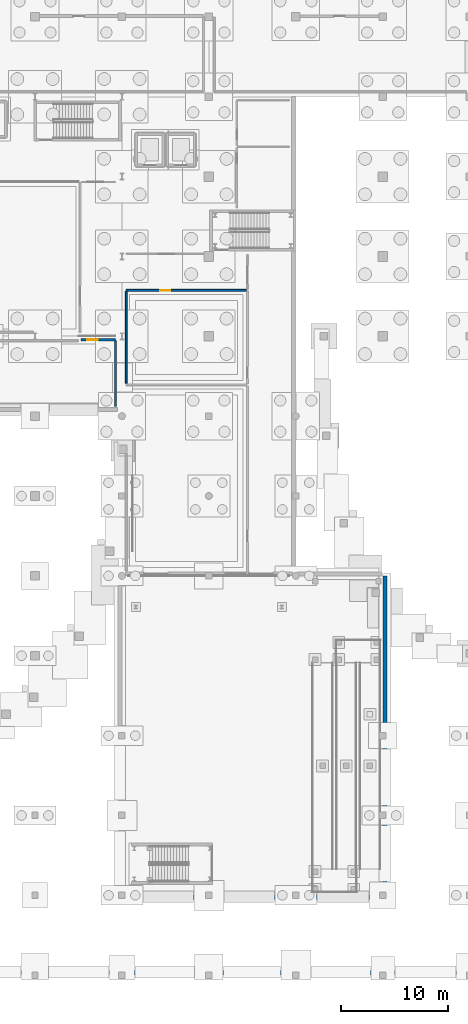
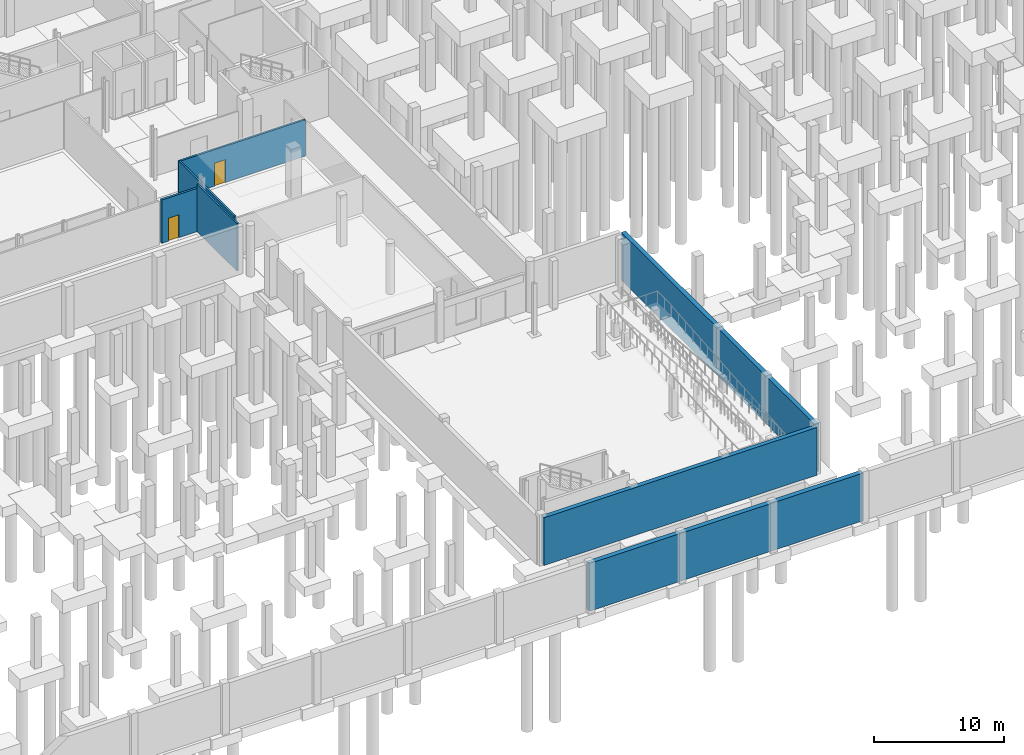
# One storey, part 24 of 37: 7 walls, 2 doors, 2 openings.
"""IFC4 building model written with IfcOpenShell, lengths in metres."""

from ifc_helpers import new_model, si_unit, direction, frame, frame_2d, origin, place, context, subcontext, project, spatial, rectangle, extrude, material, layer, layer_set, type_object, element, fill, save


model = new_model("IFC4")

# Units and contexts
model_context = context("Model", 3, precision=1e-05, world=origin(), true_north=direction((0.0, 1.0)))
body_context = subcontext(model_context, "Body", "Model", "MODEL_VIEW")
ifc_project = project(units=[si_unit("LENGTHUNIT", "METRE"), si_unit("AREAUNIT", "SQUARE_METRE"), si_unit("VOLUMEUNIT", "CUBIC_METRE"), si_unit("PLANEANGLEUNIT", "RADIAN"), si_unit("MASSUNIT", "GRAM", prefix="KILO")], contexts=[model_context])

# Site, building, storey
site_placement = place(None, origin())
site = spatial("IfcSite", under=ifc_project, at=site_placement, CompositionType="ELEMENT")
building_placement = place(site_placement, origin())
building = spatial("IfcBuilding", under=site, at=building_placement, Name="Kaelora Sail Theatre", CompositionType="ELEMENT")
storey_placement = place(building_placement, frame((0.0, 0.0, -4.800048828125)))
storey = spatial("IfcBuildingStorey", under=building, at=storey_placement, Name="B1", CompositionType="ELEMENT", Elevation=-4.800048828125)

# Walls
ifc_material_1 = material(Name="Acoustic metal-stud plasterboard 160 mm", Category="gypsum")
ifc_layer_1 = layer(ifc_material_1, 0.159912109375)
ifc_layer_set_1 = layer_set([ifc_layer_1], Name="Acoustic metal-stud plasterboard 160 mm")
wall_type_1 = type_object("IfcWallType", Name="ARC-WL-PT-160", PredefinedType="PARTITIONING", material=ifc_layer_set_1)
wall_1_placement = place(storey_placement, frame((57.60009765625, 54.5, 0.0), z_axis=(0.0, 0.0, 1.0), x_axis=(0.0, 1.0, 0.0)))
element("IfcWall", 1, at=wall_1_placement, inside=storey, type_object=wall_type_1, Name="Room enclosure wall B1-OPIT-E1", PredefinedType="PARTITIONING", context=body_context, shape_type="SweptSolid", body=[
    extrude(rectangle(XDim=6.10009765625, YDim=0.159912109375, at=frame_2d((3.050048828125, 0.0))), origin(), (0.0, 0.0, 1.0), 4.4599609375),
])
wall_2_placement = place(storey_placement, frame((58.60009765625, 56.64990234375, 0.0), z_axis=(0.0, 0.0, 1.0), x_axis=(0.0, 1.0, 0.0)))
element("IfcWall", 2, at=wall_2_placement, inside=storey, type_object=wall_type_1, Name="Room enclosure wall B1-CLOAK-W1", PredefinedType="PARTITIONING", context=body_context, shape_type="SweptSolid", body=[
    extrude(rectangle(XDim=8.550048828125, YDim=0.159912109375, at=frame_2d((4.27490234375, 0.0))), origin(), (0.0, 0.0, 1.0), 3.511962890625),
])

# Wall, opening, door
ifc_material_2 = material(Name="Workshop acoustic stud partition 170 mm", Category="gypsum")
ifc_layer_2 = layer(ifc_material_2, 0.169921875)
ifc_layer_set_2 = layer_set([ifc_layer_2], Name="Workshop acoustic stud partition 170 mm")
wall_type_2 = type_object("IfcWallType", Name="ARC-WL-PT-170", PredefinedType="PARTITIONING", material=ifc_layer_set_2)
wall_3_placement = place(storey_placement, frame((58.60009765625, 65.300048828125, 0.0), z_axis=(0.0, 0.0, 1.0), x_axis=(1.0, 0.0, 0.0)))
wall_3 = element("IfcWall", 3, at=wall_3_placement, inside=storey, type_object=wall_type_2, Name="Interior acoustic partition B1-CLOAK/B1-COR-SOUTH", PredefinedType="PARTITIONING", context=body_context, shape_type="SweptSolid", body=[
    extrude(rectangle(XDim=11.199951171875, YDim=0.169921875, at=frame_2d((5.60009765625, 0.0))), origin(), (0.0, 0.0, 1.0), 3.412109375),
])
opening_1_placement = place(wall_3_placement, frame((3.14892578125, 0.0, 0.0)))
opening_1 = element("IfcOpeningElement", 4, at=opening_1_placement, cuts=wall_3, Name="Opening ID-02", PredefinedType="OPENING", context=body_context, shape_type="SweptSolid", body=[
    extrude(rectangle(XDim=0.949951171875, YDim=2.14990234375, at=frame_2d((0.47509765625, 1.074951171875))), frame((0.0, 0.094961, 0.0), z_axis=(0.0, -1.0, 0.0), x_axis=(1.0, 0.0, 0.0)), (0.0, 0.0, 1.0), 0.189922),
])
ifc_material_3 = material(Name="Timber dressing and office single door", Category="wood")
door_type = type_object("IfcDoorType", Name="ARC-DR-ID-02", OperationType="NOTDEFINED", PredefinedType="DOOR", material=ifc_material_3)
door_1_placement = place(opening_1_placement, origin())
door_1 = element("IfcDoor", 5, at=door_1_placement, inside=storey, type_object=door_type, Name="Interior door B1-CLOAK to B1-COR-SOUTH", OperationType="SINGLE_SWING_RIGHT", OverallHeight=2.14990234375, OverallWidth=0.949951171875, PredefinedType="DOOR", context=body_context, shape_type="SweptSolid", body=[
    extrude(rectangle(XDim=0.949951171875, YDim=2.14990234375, at=frame_2d((0.47509765625, 1.074951171875))), frame((0.0, 0.02490234375, 0.0), z_axis=(0.0, -1.0, 0.0), x_axis=(1.0, 0.0, 0.0)), (0.0, 0.0, 1.0), 0.050048828125),
])
fill(opening_1, door_1)

ifc_material_4 = material(Name="Acoustic double-stud plasterboard 200 mm", Category="gypsum")
ifc_layer_3 = layer(ifc_material_4, 0.199951171875)
ifc_layer_set_3 = layer_set([ifc_layer_3], Name="Acoustic double-stud plasterboard 200 mm")
wall_type_3 = type_object("IfcWallType", Name="ARC-WL-PT-200", PredefinedType="PARTITIONING", material=ifc_layer_set_3)
wall_4_placement = place(storey_placement, frame((54.39990234375, 60.699951171875, 0.0), z_axis=(0.0, 0.0, 1.0), x_axis=(1.0, 0.0, 0.0)))
wall_4 = element("IfcWall", 6, at=wall_4_placement, inside=storey, type_object=wall_type_3, Name="Interior acoustic partition B1-OPIT/B1-COR-OPIT", PredefinedType="PARTITIONING", context=body_context, shape_type="SweptSolid", body=[
    extrude(rectangle(XDim=3.2001953125, YDim=0.199951171875, at=frame_2d((1.60009765625, 0.0))), origin(), (0.0, 0.0, 1.0), 4.06201171875),
])
opening_2_placement = place(wall_4_placement, frame((0.580078125, 0.0, 0.0)))
opening_2 = element("IfcOpeningElement", 7, at=opening_2_placement, cuts=wall_4, Name="Opening ID-02", PredefinedType="OPENING", context=body_context, shape_type="SweptSolid", body=[
    extrude(rectangle(XDim=0.949951171875, YDim=2.14990234375, at=frame_2d((0.47509765625, 1.074951171875))), frame((0.0, 0.110098, 0.0), z_axis=(0.0, -1.0, 0.0), x_axis=(1.0, 0.0, 0.0)), (0.0, 0.0, 1.0), 0.219951),
])
door_2_placement = place(opening_2_placement, origin())
door_2 = element("IfcDoor", 8, at=door_2_placement, inside=storey, type_object=door_type, Name="Interior door B1-OPIT to B1-COR-OPIT", OperationType="SINGLE_SWING_RIGHT", OverallHeight=2.14990234375, OverallWidth=0.949951171875, PredefinedType="DOOR", context=body_context, shape_type="SweptSolid", body=[
    extrude(rectangle(XDim=0.949951171875, YDim=2.14990234375, at=frame_2d((0.47509765625, 1.074951171875))), frame((0.0, 0.02490234375, 0.0), z_axis=(0.0, -1.0, 0.0), x_axis=(1.0, 0.0, 0.0)), (0.0, 0.0, 1.0), 0.050048828125),
])
fill(opening_2, door_2)

# Walls
ifc_material_5 = material(Name="Concrete C40/50", Category="concrete")
ifc_layer_4 = layer(ifc_material_5, 0.3798828125)
ifc_layer_set_4 = layer_set([ifc_layer_4], Name="Concrete C40/50")
wall_type_4 = type_object("IfcWallType", Name="ARC-WL-RW-380", PredefinedType="USERDEFINED", material=ifc_layer_set_4)
wall_5_placement = place(storey_placement, frame((58.25, 8.75, 0.0), z_axis=(0.0, 0.0, 1.0), x_axis=(1.0, 0.0, 0.0)))
element("IfcWall", 9, at=wall_5_placement, inside=storey, type_object=wall_type_4, Name="Grounded concrete plinth retaining wall B1-COURT-S", ObjectType="RETAINING WALL", PredefinedType="USERDEFINED", context=body_context, shape_type="SweptSolid", body=[
    extrude(rectangle(XDim=24.199951171875, YDim=0.3798828125, at=frame_2d((12.10009765625, 0.0))), origin(), (0.0, 0.0, 1.0), 4.47998046875),
])
wall_6_placement = place(storey_placement, frame((82.68994140625, 8.949951171875, 0.0), z_axis=(0.0, 0.0, 1.0), x_axis=(0.0, 1.0, 0.0)))
element("IfcWall", 10, at=wall_6_placement, inside=storey, type_object=wall_type_4, Name="Grounded concrete plinth retaining wall B1-COURT-E", ObjectType="RETAINING WALL", PredefinedType="USERDEFINED", context=body_context, shape_type="SweptSolid", body=[
    extrude(rectangle(XDim=29.75, YDim=0.3798828125, at=frame_2d((14.875, 0.0))), origin(), (0.0, 0.0, 1.0), 4.47998046875),
])
ifc_material_6 = material(Name="Concrete C45/55", Category="concrete")
ifc_layer_5 = layer(ifc_material_6, 0.419921875)
ifc_layer_set_5 = layer_set([ifc_layer_5], Name="Concrete C45/55")
wall_type_5 = type_object("IfcWallType", Name="ARC-WL-RW-420", PredefinedType="USERDEFINED", material=ifc_layer_set_5)
wall_7_placement = place(storey_placement, frame((58.199951171875, 1.7099609375, 0.0), z_axis=(0.0, 0.0, 1.0), x_axis=(1.0, 0.0, 0.0)))
element("IfcWall", 11, at=wall_7_placement, inside=storey, type_object=wall_type_5, Name="Grounded concrete plinth retaining wall B1-PLINTH-SC", ObjectType="RETAINING WALL", PredefinedType="USERDEFINED", context=body_context, shape_type="SweptSolid", body=[
    extrude(rectangle(XDim=24.300048828125, YDim=0.419921875, at=frame_2d((12.14990234375, 0.0))), origin(), (0.0, 0.0, 1.0), 4.47998046875),
])

save(model, "model.ifc")
